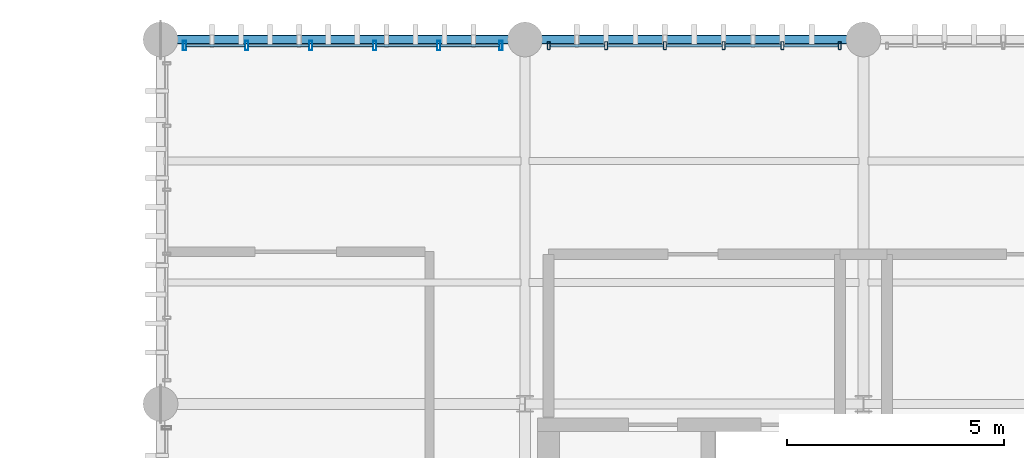
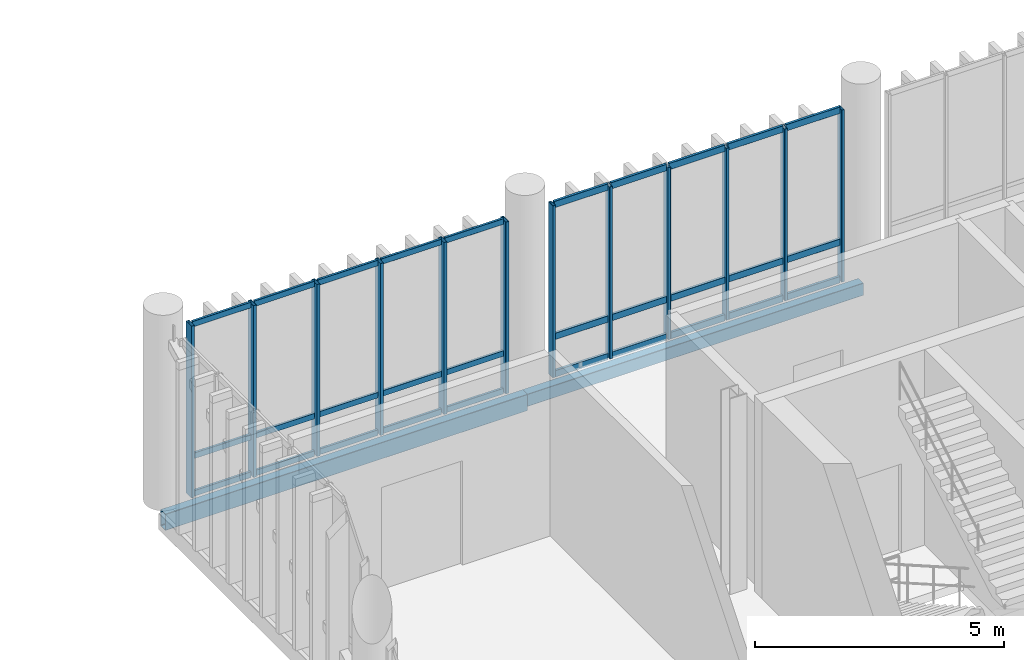
# One storey, part 77 of 109: 42 members, 2 beams, 2 elements without a shape of their own.
"""IFC4 building model written with IfcOpenShell, lengths in metres."""

import ifcopenshell
import ifcopenshell.guid

model = None  # the IFC model being written
_history = None  # IfcOwnerHistory: only IFC2X3 demands one
_inside = {}  # id of a spatial element -> (the spatial element, [elements in it])
_under = {}  # id of a project, library or spatial element -> (it, [spatial elements below it])
_declared = {}  # id of a project -> (the project, [libraries it declares])
_typed = {}  # id of a type object -> (the type object, [elements of that type])
_made_of = {}  # id of a material, layer set ... -> (it, [elements and type objects made of it])


def new_model(schema):
    """Start an empty IFC model of exactly this schema.

    Asked for "IFC4X3", IfcOpenShell would pick the latest addendum, in which some entities
    have other attributes; the version numbers below select the first issue.
    IFC2X3 requires an IfcOwnerHistory on every rooted entity: one is made here for all.
    """
    global model, _history
    if schema == "IFC4X3":
        model = ifcopenshell.file(schema_version=(4, 3, 0, 0))
    else:
        model = ifcopenshell.file(schema=schema)
    _inside.clear()
    _under.clear()
    _declared.clear()
    _typed.clear()
    _made_of.clear()
    _history = None
    if model.schema == "IFC2X3":
        org = make("IfcOrganization", Name="unknown")
        user = make(
            "IfcPersonAndOrganization",
            ThePerson=make("IfcPerson", FamilyName="unknown"),
            TheOrganization=org,
        )
        app = make(
            "IfcApplication",
            ApplicationDeveloper=org,
            Version="unknown",
            ApplicationFullName="unknown",
            ApplicationIdentifier="unknown",
        )
        _history = make(
            "IfcOwnerHistory",
            OwningUser=user,
            OwningApplication=app,
            ChangeAction="ADDED",
            CreationDate=0,
        )
    return model


def make(cls, **values):
    """One entity of the class cls with the attributes given. An attribute that is None is left unset."""
    return model.create_entity(
        cls, **{name: value for name, value in values.items() if value is not None}
    )


def rooted(cls, **values):
    """An entity with a GlobalId (a new one), such as an element, a storey or a relation."""
    return make(cls, GlobalId=ifcopenshell.guid.new(), OwnerHistory=_history, **values)


def si_unit(unit_type, name, prefix=None):
    """IfcSIUnit, for example si_unit("LENGTHUNIT", "METRE", prefix="MILLI")."""
    return make("IfcSIUnit", UnitType=unit_type, Prefix=prefix, Name=name)


def assignment(units):
    """IfcUnitAssignment: the units of a project."""
    return None if units is None else make("IfcUnitAssignment", Units=units)


def point(xyz):
    """IfcCartesianPoint."""
    return None if xyz is None else make("IfcCartesianPoint", Coordinates=xyz)


def direction(xyz):
    """IfcDirection."""
    return None if xyz is None else make("IfcDirection", DirectionRatios=xyz)


def frame(location, z_axis=None, x_axis=None):
    """IfcAxis2Placement3D, a coordinate frame: its origin and axes. An axis left out is left unset."""
    return make(
        "IfcAxis2Placement3D",
        Location=point(location),
        Axis=direction(z_axis),
        RefDirection=direction(x_axis),
    )


def frame_2d(location, x_axis=None):
    """IfcAxis2Placement2D, a coordinate frame in the plane: its origin and x axis."""
    return make(
        "IfcAxis2Placement2D", Location=point(location), RefDirection=direction(x_axis)
    )


def origin_with_axes():
    """The frame at (0, 0, 0) with the z axis (0, 0, 1) and the x axis (1, 0, 0) written out."""
    return frame((0.0, 0.0, 0.0), z_axis=(0.0, 0.0, 1.0), x_axis=(1.0, 0.0, 0.0))


def origin_2d_with_axis():
    """The frame at (0, 0) in the plane with the x axis (1, 0) written out."""
    return frame_2d((0.0, 0.0), x_axis=(1.0, 0.0))


def place(relative_to, where):
    """IfcLocalPlacement: puts the frame where relative to a parent placement (None: the world)."""
    return make(
        "IfcLocalPlacement", PlacementRelTo=relative_to, RelativePlacement=where
    )


def context(
    kind, dimensions, precision=None, world=None, true_north=None, identifier=None
):
    """IfcGeometricRepresentationContext, for example the 3D "Model" context."""
    return make(
        "IfcGeometricRepresentationContext",
        ContextIdentifier=identifier,
        ContextType=kind,
        CoordinateSpaceDimension=dimensions,
        Precision=precision,
        WorldCoordinateSystem=world,
        TrueNorth=true_north,
    )


def subcontext(parent, identifier, kind, view, scale=None):
    """IfcGeometricRepresentationSubContext, for example "Body" below "Model"."""
    return make(
        "IfcGeometricRepresentationSubContext",
        ContextIdentifier=identifier,
        ContextType=kind,
        ParentContext=parent,
        TargetScale=scale,
        TargetView=view,
    )


def project(units=None, contexts=None):
    """IfcProject with its units and contexts."""
    return rooted(
        "IfcProject",
        Name="project",
        RepresentationContexts=contexts,
        UnitsInContext=assignment(units),
    )


def spatial(cls, under=None, at=None, **own):
    """A site, building, storey or space (cls), placed at a placement, below another one or the project."""
    s = rooted(cls, ObjectPlacement=at, **own)
    if under is not None:
        _under.setdefault(under.id(), (under, []))[1].append(s)
    return s


def profile(cls, at=None, kind="AREA", **sizes):
    """A parametric profile (cls). Its sizes go by their IFC names, for example OverallWidth=200.0."""
    return make(cls, ProfileType=kind, Position=at, **sizes)


def hollow_rectangle(**sizes):
    """IfcRectangleHollowProfileDef."""
    return profile("IfcRectangleHollowProfileDef", **sizes)


def extrude(swept, where, along, depth):
    """IfcExtrudedAreaSolid: the profile swept, set in the frame where, extruded along a direction by depth."""
    return make(
        "IfcExtrudedAreaSolid",
        SweptArea=swept,
        Position=where,
        ExtrudedDirection=direction(along),
        Depth=depth,
    )


def shape(context_of_items, identifier, shape_type, items):
    """IfcShapeRepresentation: the items that make up one representation, for example the "Body"."""
    return make(
        "IfcShapeRepresentation",
        ContextOfItems=context_of_items,
        RepresentationIdentifier=identifier,
        RepresentationType=shape_type,
        Items=items,
    )


def material(Name=None, Category=None):
    """IfcMaterial."""
    return make("IfcMaterial", Name=Name, Category=Category)


def material_profile(
    of_material, cross_section, Name=None, Category=None, Priority=None
):
    """IfcMaterialProfile: a cross section and its material."""
    return make(
        "IfcMaterialProfile",
        Name=Name,
        Material=of_material,
        Profile=cross_section,
        Priority=Priority,
        Category=Category,
    )


def profile_set(profiles, Name=None, composite=None):
    """IfcMaterialProfileSet."""
    return make(
        "IfcMaterialProfileSet",
        Name=Name,
        MaterialProfiles=profiles,
        CompositeProfile=composite,
    )


def made_of(thing, what):
    """Note that an element or type object is made of a material, layer set ...; save() writes the relation."""
    if what is not None:
        _made_of.setdefault(what.id(), (what, []))[1].append(thing)
    return thing


def type_object(cls, material=None, **own):
    """A type object (cls), such as IfcWallType, which elements share."""
    return made_of(rooted(cls, **own), material)


def element(
    cls,
    number,
    at=None,
    inside=None,
    cuts=None,
    type_object=None,
    material=None,
    context=None,
    identifier="Body",
    shape_type=None,
    held_by="IfcProductDefinitionShape",
    body=None,
    shapes=None,
    **own,
):
    """One element of the class cls, such as IfcWall. Its Tag is "e" and its number.

    at: its placement. inside: the storey or other place that contains it. cuts: it is an
    opening in that element (IfcRelVoidsElement). A single representation is given by context,
    identifier, shape_type and body (its items); several are given by shapes. held_by: the class
    of the entity that holds the representations. save() writes the other relations.
    """
    e = rooted(cls, Tag="e%d" % number, ObjectPlacement=at, **own)
    if body is not None:
        shapes = [shape(context, identifier, shape_type, body)]
    if shapes is not None:
        e.Representation = make(held_by, Representations=shapes)
    if inside is not None:
        _inside.setdefault(inside.id(), (inside, []))[1].append(e)
    if cuts is not None:
        rooted(
            "IfcRelVoidsElement", RelatingBuildingElement=cuts, RelatedOpeningElement=e
        )
    if type_object is not None:
        _typed.setdefault(type_object.id(), (type_object, []))[1].append(e)
    return made_of(e, material)


def aggregate(whole, parts):
    """IfcRelAggregates: a whole, such as a stair, and the parts it consists of."""
    return rooted("IfcRelAggregates", RelatingObject=whole, RelatedObjects=parts)


def save(model, path):
    """Write the relations noted so far, then the file.

    IfcRelAggregates (storeys below a building ...), IfcRelContainedInSpatialStructure (elements
    in a storey), IfcRelDefinesByType, IfcRelAssociatesMaterial and IfcRelDeclares: one each for
    every whole, place, type object, material and project.
    """
    for whole, parts in _under.values():
        aggregate(whole, parts)
    for where, things in _inside.values():
        rooted(
            "IfcRelContainedInSpatialStructure",
            RelatedElements=things,
            RelatingStructure=where,
        )
    for kind, things in _typed.values():
        rooted("IfcRelDefinesByType", RelatedObjects=things, RelatingType=kind)
    for what, things in _made_of.values():
        rooted("IfcRelAssociatesMaterial", RelatedObjects=things, RelatingMaterial=what)
    for by, libraries in _declared.values():
        rooted("IfcRelDeclares", RelatingContext=by, RelatedDefinitions=libraries)
    model.write(path)


model = new_model("IFC4")

# Units and contexts
model_context = context("Model", 3, precision=1e-05, world=origin_with_axes(), true_north=direction((0.0, 1.0)))
body_context = subcontext(model_context, "Body", "Model", "MODEL_VIEW")
ifc_project = project(units=[si_unit("LENGTHUNIT", "METRE"), si_unit("AREAUNIT", "SQUARE_METRE"), si_unit("VOLUMEUNIT", "CUBIC_METRE"), si_unit("PLANEANGLEUNIT", "RADIAN"), si_unit("MASSUNIT", "GRAM", prefix="KILO"), si_unit("THERMODYNAMICTEMPERATUREUNIT", "KELVIN")], contexts=[model_context])

# Site, building, storey
site_placement = place(None, origin_with_axes())
site = spatial("IfcSite", under=ifc_project, at=site_placement, CompositionType="ELEMENT")
building_placement = place(site_placement, origin_with_axes())
building = spatial("IfcBuilding", under=site, at=building_placement, Name="Montbau Bow Law Courts", CompositionType="ELEMENT")
storey_placement = place(building_placement, frame((0.0, 0.0, 10.8), z_axis=(0.0, 0.0, 1.0), x_axis=(1.0, 0.0, 0.0)))
storey = spatial("IfcBuildingStorey", under=building, at=storey_placement, Name="L02", CompositionType="ELEMENT", Elevation=10.8)

# Beams
ifc_material_1 = material(Name="Steel CSA G40.21 Grade 350WT (350 MPa)", Category="steel")
ifc_material_profile_1 = material_profile(ifc_material_1, hollow_rectangle(XDim=0.203, YDim=0.406, WallThickness=0.0127, InnerFilletRadius=0.0254, OuterFilletRadius=0.0127, at=origin_2d_with_axis()), Name="HSS406X203X13", Category="Main", Priority=0)
ifc_profile_set_1 = profile_set([ifc_material_profile_1], Name="Steel CSA G40.21 Grade 350WT (350 MPa)")
beam_type_1 = type_object("IfcBeamType", Name="B-SPN-01", PredefinedType="SPANDREL", material=ifc_profile_set_1)
beam_1_placement = place(None, frame((138.6, 103.2, 10.297), z_axis=(1.0, 0.0, 0.0), x_axis=(0.0, 1.0, 0.0)))
element("IfcBeam", 1, at=beam_1_placement, inside=storey, type_object=beam_type_1, Name="SPN-L02-S1181:bm2_1184", PredefinedType="SPANDREL", context=body_context, shape_type="SweptSolid", body=[
    extrude(hollow_rectangle(XDim=0.203, YDim=0.406, WallThickness=0.0127, InnerFilletRadius=0.0254, OuterFilletRadius=0.0127, at=origin_2d_with_axis()), origin_with_axes(), (0.0, 0.0, 1.0), 8.4),
])
ifc_material_profile_2 = material_profile(ifc_material_1, hollow_rectangle(XDim=0.203, YDim=0.305, WallThickness=0.0127, InnerFilletRadius=0.0254, OuterFilletRadius=0.0127, at=origin_2d_with_axis()), Name="HSS305X203X13", Category="Main", Priority=0)
ifc_profile_set_2 = profile_set([ifc_material_profile_2], Name="Steel CSA G40.21 Grade 350WT (350 MPa)")
beam_type_2 = type_object("IfcBeamType", Name="B-SPN-02", PredefinedType="SPANDREL", material=ifc_profile_set_2)
beam_2_placement = place(None, frame((147.0, 103.2, 10.348), z_axis=(1.0, 0.0, 0.0), x_axis=(0.0, 1.0, 0.0)))
element("IfcBeam", 2, at=beam_2_placement, inside=storey, type_object=beam_type_2, Name="SPN-L02-S1182:bm2_1185", PredefinedType="SPANDREL", context=body_context, shape_type="SweptSolid", body=[
    extrude(hollow_rectangle(XDim=0.203, YDim=0.305, WallThickness=0.0127, InnerFilletRadius=0.0254, OuterFilletRadius=0.0127, at=origin_2d_with_axis()), origin_with_axes(), (0.0, 0.0, 1.0), 7.8),
])

# Curtain wall, members
ifc_material_2 = material(Name="Thermally Broken Extruded Aluminium AA 6063-T6", Category="aluminium")
curtain_wall_type = type_object("IfcCurtainWallType", Name="CW-SLT-01", PredefinedType="NOTDEFINED", material=ifc_material_2)
curtain_wall_1_placement = place(None, frame((139.115, 103.06, 10.8), z_axis=(0.0, 0.0, 1.0), x_axis=(1.0, 0.0, 0.0)))
curtain_wall_1 = element("IfcCurtainWall", 3, at=curtain_wall_1_placement, inside=storey, type_object=curtain_wall_type, Name="CW-L02-297:cw_0297", PredefinedType="NOTDEFINED")
ifc_material_profile_3 = material_profile(ifc_material_2, hollow_rectangle(XDim=0.075, YDim=0.22, WallThickness=0.005, InnerFilletRadius=0.01, OuterFilletRadius=0.005, at=origin_2d_with_axis()), Name="CWM-220X75", Category="Main", Priority=0)
ifc_profile_set_3 = profile_set([ifc_material_profile_3], Name="Thermally Broken Extruded Aluminium AA 6063-T6")
member_type_1 = type_object("IfcMemberType", Name="M-MUL-01", PredefinedType="MULLION", material=ifc_profile_set_3)
member_1_placement = place(None, frame((139.152, 103.06, 10.8), z_axis=(0.0, 0.0, 1.0), x_axis=(1.0, 0.0, 0.0)))
member_1 = element("IfcMember", 4, at=member_1_placement, type_object=member_type_1, Name="CW-L02-297-M01:cw_0297_M01", PredefinedType="MULLION", context=body_context, shape_type="SweptSolid", body=[
    extrude(hollow_rectangle(XDim=0.075, YDim=0.22, WallThickness=0.005, InnerFilletRadius=0.01, OuterFilletRadius=0.005, at=origin_2d_with_axis()), origin_with_axes(), (0.0, 0.0, 1.0), 4.22),
])
member_2_placement = place(None, frame((140.589, 103.06, 10.8), z_axis=(0.0, 0.0, 1.0), x_axis=(1.0, 0.0, 0.0)))
member_2 = element("IfcMember", 5, at=member_2_placement, type_object=member_type_1, Name="CW-L02-297-M02:cw_0297_M02", PredefinedType="MULLION", context=body_context, shape_type="SweptSolid", body=[
    extrude(hollow_rectangle(XDim=0.075, YDim=0.22, WallThickness=0.005, InnerFilletRadius=0.01, OuterFilletRadius=0.005, at=origin_2d_with_axis()), origin_with_axes(), (0.0, 0.0, 1.0), 4.22),
])
member_3_placement = place(None, frame((142.063, 103.06, 10.8), z_axis=(0.0, 0.0, 1.0), x_axis=(1.0, 0.0, 0.0)))
member_3 = element("IfcMember", 6, at=member_3_placement, type_object=member_type_1, Name="CW-L02-297-M03:cw_0297_M03", PredefinedType="MULLION", context=body_context, shape_type="SweptSolid", body=[
    extrude(hollow_rectangle(XDim=0.075, YDim=0.22, WallThickness=0.005, InnerFilletRadius=0.01, OuterFilletRadius=0.005, at=origin_2d_with_axis()), origin_with_axes(), (0.0, 0.0, 1.0), 4.22),
])
member_4_placement = place(None, frame((143.537, 103.06, 10.8), z_axis=(0.0, 0.0, 1.0), x_axis=(1.0, 0.0, 0.0)))
member_4 = element("IfcMember", 7, at=member_4_placement, type_object=member_type_1, Name="CW-L02-297-M04:cw_0297_M04", PredefinedType="MULLION", context=body_context, shape_type="SweptSolid", body=[
    extrude(hollow_rectangle(XDim=0.075, YDim=0.22, WallThickness=0.005, InnerFilletRadius=0.01, OuterFilletRadius=0.005, at=origin_2d_with_axis()), origin_with_axes(), (0.0, 0.0, 1.0), 4.22),
])
member_5_placement = place(None, frame((145.011, 103.06, 10.8), z_axis=(0.0, 0.0, 1.0), x_axis=(1.0, 0.0, 0.0)))
member_5 = element("IfcMember", 8, at=member_5_placement, type_object=member_type_1, Name="CW-L02-297-M05:cw_0297_M05", PredefinedType="MULLION", context=body_context, shape_type="SweptSolid", body=[
    extrude(hollow_rectangle(XDim=0.075, YDim=0.22, WallThickness=0.005, InnerFilletRadius=0.01, OuterFilletRadius=0.005, at=origin_2d_with_axis()), origin_with_axes(), (0.0, 0.0, 1.0), 4.22),
])
member_6_placement = place(None, frame((146.448, 103.06, 10.8), z_axis=(0.0, 0.0, 1.0), x_axis=(1.0, 0.0, 0.0)))
member_6 = element("IfcMember", 9, at=member_6_placement, type_object=member_type_1, Name="CW-L02-297-M06:cw_0297_M06", PredefinedType="MULLION", context=body_context, shape_type="SweptSolid", body=[
    extrude(hollow_rectangle(XDim=0.075, YDim=0.22, WallThickness=0.005, InnerFilletRadius=0.01, OuterFilletRadius=0.005, at=origin_2d_with_axis()), origin_with_axes(), (0.0, 0.0, 1.0), 4.22),
])

curtain_wall_2_placement = place(None, frame((147.515, 103.06, 10.8), z_axis=(0.0, 0.0, 1.0), x_axis=(1.0, 0.0, 0.0)))
curtain_wall_2 = element("IfcCurtainWall", 10, at=curtain_wall_2_placement, inside=storey, type_object=curtain_wall_type, Name="CW-L02-298:cw_0298", PredefinedType="NOTDEFINED")
ifc_material_profile_4 = material_profile(ifc_material_2, hollow_rectangle(XDim=0.065, YDim=0.18, WallThickness=0.005, InnerFilletRadius=0.01, OuterFilletRadius=0.005, at=origin_2d_with_axis()), Name="CWM-180X65", Category="Main", Priority=0)
ifc_profile_set_4 = profile_set([ifc_material_profile_4], Name="Thermally Broken Extruded Aluminium AA 6063-T6")
member_type_2 = type_object("IfcMemberType", Name="M-MUL-02", PredefinedType="MULLION", material=ifc_profile_set_4)
member_7_placement = place(None, frame((147.548, 103.06, 10.8), z_axis=(0.0, 0.0, 1.0), x_axis=(1.0, 0.0, 0.0)))
member_7 = element("IfcMember", 11, at=member_7_placement, type_object=member_type_2, Name="CW-L02-298-M01:cw_0298_M01", PredefinedType="MULLION", context=body_context, shape_type="SweptSolid", body=[
    extrude(hollow_rectangle(XDim=0.065, YDim=0.18, WallThickness=0.005, InnerFilletRadius=0.01, OuterFilletRadius=0.005, at=origin_2d_with_axis()), origin_with_axes(), (0.0, 0.0, 1.0), 4.22),
])
member_8_placement = place(None, frame((148.869, 103.06, 10.8), z_axis=(0.0, 0.0, 1.0), x_axis=(1.0, 0.0, 0.0)))
member_8 = element("IfcMember", 12, at=member_8_placement, type_object=member_type_2, Name="CW-L02-298-M02:cw_0298_M02", PredefinedType="MULLION", context=body_context, shape_type="SweptSolid", body=[
    extrude(hollow_rectangle(XDim=0.065, YDim=0.18, WallThickness=0.005, InnerFilletRadius=0.01, OuterFilletRadius=0.005, at=origin_2d_with_axis()), origin_with_axes(), (0.0, 0.0, 1.0), 4.22),
])
member_9_placement = place(None, frame((150.223, 103.06, 10.8), z_axis=(0.0, 0.0, 1.0), x_axis=(1.0, 0.0, 0.0)))
member_9 = element("IfcMember", 13, at=member_9_placement, type_object=member_type_2, Name="CW-L02-298-M03:cw_0298_M03", PredefinedType="MULLION", context=body_context, shape_type="SweptSolid", body=[
    extrude(hollow_rectangle(XDim=0.065, YDim=0.18, WallThickness=0.005, InnerFilletRadius=0.01, OuterFilletRadius=0.005, at=origin_2d_with_axis()), origin_with_axes(), (0.0, 0.0, 1.0), 4.22),
])
member_10_placement = place(None, frame((151.577, 103.06, 10.8), z_axis=(0.0, 0.0, 1.0), x_axis=(1.0, 0.0, 0.0)))
member_10 = element("IfcMember", 14, at=member_10_placement, type_object=member_type_2, Name="CW-L02-298-M04:cw_0298_M04", PredefinedType="MULLION", context=body_context, shape_type="SweptSolid", body=[
    extrude(hollow_rectangle(XDim=0.065, YDim=0.18, WallThickness=0.005, InnerFilletRadius=0.01, OuterFilletRadius=0.005, at=origin_2d_with_axis()), origin_with_axes(), (0.0, 0.0, 1.0), 4.22),
])
member_11_placement = place(None, frame((152.931, 103.06, 10.8), z_axis=(0.0, 0.0, 1.0), x_axis=(1.0, 0.0, 0.0)))
member_11 = element("IfcMember", 15, at=member_11_placement, type_object=member_type_2, Name="CW-L02-298-M05:cw_0298_M05", PredefinedType="MULLION", context=body_context, shape_type="SweptSolid", body=[
    extrude(hollow_rectangle(XDim=0.065, YDim=0.18, WallThickness=0.005, InnerFilletRadius=0.01, OuterFilletRadius=0.005, at=origin_2d_with_axis()), origin_with_axes(), (0.0, 0.0, 1.0), 4.22),
])
member_12_placement = place(None, frame((154.253, 103.06, 10.8), z_axis=(0.0, 0.0, 1.0), x_axis=(1.0, 0.0, 0.0)))
member_12 = element("IfcMember", 16, at=member_12_placement, type_object=member_type_2, Name="CW-L02-298-M06:cw_0298_M06", PredefinedType="MULLION", context=body_context, shape_type="SweptSolid", body=[
    extrude(hollow_rectangle(XDim=0.065, YDim=0.18, WallThickness=0.005, InnerFilletRadius=0.01, OuterFilletRadius=0.005, at=origin_2d_with_axis()), origin_with_axes(), (0.0, 0.0, 1.0), 4.22),
])
ifc_material_profile_5 = material_profile(ifc_material_2, hollow_rectangle(XDim=0.06, YDim=0.16, WallThickness=0.004, InnerFilletRadius=0.008, OuterFilletRadius=0.004, at=origin_2d_with_axis()), Name="CWT-160X60", Category="Main", Priority=0)
ifc_profile_set_5 = profile_set([ifc_material_profile_5], Name="Thermally Broken Extruded Aluminium AA 6063-T6")
member_type_3 = type_object("IfcMemberType", Name="M-TRN-01", PredefinedType="USERDEFINED", material=ifc_profile_set_5)
member_13_placement = place(None, frame((147.583, 103.06, 10.83), z_axis=(1.0, 0.0, 0.0), x_axis=(0.0, 1.0, 0.0)))
member_13 = element("IfcMember", 17, at=member_13_placement, type_object=member_type_3, Name="CW-L02-298-T01-1:cw_0298_T01_1", ObjectType="TRANSOM", PredefinedType="USERDEFINED", context=body_context, shape_type="SweptSolid", body=[
    extrude(hollow_rectangle(XDim=0.06, YDim=0.16, WallThickness=0.004, InnerFilletRadius=0.008, OuterFilletRadius=0.004, at=origin_2d_with_axis()), origin_with_axes(), (0.0, 0.0, 1.0), 1.252),
])
member_14_placement = place(None, frame((147.583, 103.06, 11.75), z_axis=(1.0, 0.0, 0.0), x_axis=(0.0, 1.0, 0.0)))
member_14 = element("IfcMember", 18, at=member_14_placement, type_object=member_type_3, Name="CW-L02-298-T01-2:cw_0298_T01_2", ObjectType="TRANSOM", PredefinedType="USERDEFINED", context=body_context, shape_type="SweptSolid", body=[
    extrude(hollow_rectangle(XDim=0.06, YDim=0.16, WallThickness=0.004, InnerFilletRadius=0.008, OuterFilletRadius=0.004, at=origin_2d_with_axis()), origin_with_axes(), (0.0, 0.0, 1.0), 1.252),
])
member_15_placement = place(None, frame((147.583, 103.06, 14.99), z_axis=(1.0, 0.0, 0.0), x_axis=(0.0, 1.0, 0.0)))
member_15 = element("IfcMember", 19, at=member_15_placement, type_object=member_type_3, Name="CW-L02-298-T01-3:cw_0298_T01_3", ObjectType="TRANSOM", PredefinedType="USERDEFINED", context=body_context, shape_type="SweptSolid", body=[
    extrude(hollow_rectangle(XDim=0.06, YDim=0.16, WallThickness=0.004, InnerFilletRadius=0.008, OuterFilletRadius=0.004, at=origin_2d_with_axis()), origin_with_axes(), (0.0, 0.0, 1.0), 1.252),
])
member_16_placement = place(None, frame((148.904, 103.06, 10.83), z_axis=(1.0, 0.0, 0.0), x_axis=(0.0, 1.0, 0.0)))
member_16 = element("IfcMember", 20, at=member_16_placement, type_object=member_type_3, Name="CW-L02-298-T02-1:cw_0298_T02_1", ObjectType="TRANSOM", PredefinedType="USERDEFINED", context=body_context, shape_type="SweptSolid", body=[
    extrude(hollow_rectangle(XDim=0.06, YDim=0.16, WallThickness=0.004, InnerFilletRadius=0.008, OuterFilletRadius=0.004, at=origin_2d_with_axis()), origin_with_axes(), (0.0, 0.0, 1.0), 1.285),
])
member_17_placement = place(None, frame((148.904, 103.06, 11.75), z_axis=(1.0, 0.0, 0.0), x_axis=(0.0, 1.0, 0.0)))
member_17 = element("IfcMember", 21, at=member_17_placement, type_object=member_type_3, Name="CW-L02-298-T02-2:cw_0298_T02_2", ObjectType="TRANSOM", PredefinedType="USERDEFINED", context=body_context, shape_type="SweptSolid", body=[
    extrude(hollow_rectangle(XDim=0.06, YDim=0.16, WallThickness=0.004, InnerFilletRadius=0.008, OuterFilletRadius=0.004, at=origin_2d_with_axis()), origin_with_axes(), (0.0, 0.0, 1.0), 1.285),
])
member_18_placement = place(None, frame((148.904, 103.06, 14.99), z_axis=(1.0, 0.0, 0.0), x_axis=(0.0, 1.0, 0.0)))
member_18 = element("IfcMember", 22, at=member_18_placement, type_object=member_type_3, Name="CW-L02-298-T02-3:cw_0298_T02_3", ObjectType="TRANSOM", PredefinedType="USERDEFINED", context=body_context, shape_type="SweptSolid", body=[
    extrude(hollow_rectangle(XDim=0.06, YDim=0.16, WallThickness=0.004, InnerFilletRadius=0.008, OuterFilletRadius=0.004, at=origin_2d_with_axis()), origin_with_axes(), (0.0, 0.0, 1.0), 1.285),
])
member_19_placement = place(None, frame((150.258, 103.06, 10.83), z_axis=(1.0, 0.0, 0.0), x_axis=(0.0, 1.0, 0.0)))
member_19 = element("IfcMember", 23, at=member_19_placement, type_object=member_type_3, Name="CW-L02-298-T03-1:cw_0298_T03_1", ObjectType="TRANSOM", PredefinedType="USERDEFINED", context=body_context, shape_type="SweptSolid", body=[
    extrude(hollow_rectangle(XDim=0.06, YDim=0.16, WallThickness=0.004, InnerFilletRadius=0.008, OuterFilletRadius=0.004, at=origin_2d_with_axis()), origin_with_axes(), (0.0, 0.0, 1.0), 1.285),
])
member_20_placement = place(None, frame((150.258, 103.06, 11.75), z_axis=(1.0, 0.0, 0.0), x_axis=(0.0, 1.0, 0.0)))
member_20 = element("IfcMember", 24, at=member_20_placement, type_object=member_type_3, Name="CW-L02-298-T03-2:cw_0298_T03_2", ObjectType="TRANSOM", PredefinedType="USERDEFINED", context=body_context, shape_type="SweptSolid", body=[
    extrude(hollow_rectangle(XDim=0.06, YDim=0.16, WallThickness=0.004, InnerFilletRadius=0.008, OuterFilletRadius=0.004, at=origin_2d_with_axis()), origin_with_axes(), (0.0, 0.0, 1.0), 1.285),
])
member_21_placement = place(None, frame((150.258, 103.06, 14.99), z_axis=(1.0, 0.0, 0.0), x_axis=(0.0, 1.0, 0.0)))
member_21 = element("IfcMember", 25, at=member_21_placement, type_object=member_type_3, Name="CW-L02-298-T03-3:cw_0298_T03_3", ObjectType="TRANSOM", PredefinedType="USERDEFINED", context=body_context, shape_type="SweptSolid", body=[
    extrude(hollow_rectangle(XDim=0.06, YDim=0.16, WallThickness=0.004, InnerFilletRadius=0.008, OuterFilletRadius=0.004, at=origin_2d_with_axis()), origin_with_axes(), (0.0, 0.0, 1.0), 1.285),
])
member_22_placement = place(None, frame((151.611, 103.06, 10.83), z_axis=(1.0, 0.0, 0.0), x_axis=(0.0, 1.0, 0.0)))
member_22 = element("IfcMember", 26, at=member_22_placement, type_object=member_type_3, Name="CW-L02-298-T04-1:cw_0298_T04_1", ObjectType="TRANSOM", PredefinedType="USERDEFINED", context=body_context, shape_type="SweptSolid", body=[
    extrude(hollow_rectangle(XDim=0.06, YDim=0.16, WallThickness=0.004, InnerFilletRadius=0.008, OuterFilletRadius=0.004, at=origin_2d_with_axis()), origin_with_axes(), (0.0, 0.0, 1.0), 1.286),
])
member_23_placement = place(None, frame((151.611, 103.06, 11.75), z_axis=(1.0, 0.0, 0.0), x_axis=(0.0, 1.0, 0.0)))
member_23 = element("IfcMember", 27, at=member_23_placement, type_object=member_type_3, Name="CW-L02-298-T04-2:cw_0298_T04_2", ObjectType="TRANSOM", PredefinedType="USERDEFINED", context=body_context, shape_type="SweptSolid", body=[
    extrude(hollow_rectangle(XDim=0.06, YDim=0.16, WallThickness=0.004, InnerFilletRadius=0.008, OuterFilletRadius=0.004, at=origin_2d_with_axis()), origin_with_axes(), (0.0, 0.0, 1.0), 1.286),
])
member_24_placement = place(None, frame((151.611, 103.06, 14.99), z_axis=(1.0, 0.0, 0.0), x_axis=(0.0, 1.0, 0.0)))
member_24 = element("IfcMember", 28, at=member_24_placement, type_object=member_type_3, Name="CW-L02-298-T04-3:cw_0298_T04_3", ObjectType="TRANSOM", PredefinedType="USERDEFINED", context=body_context, shape_type="SweptSolid", body=[
    extrude(hollow_rectangle(XDim=0.06, YDim=0.16, WallThickness=0.004, InnerFilletRadius=0.008, OuterFilletRadius=0.004, at=origin_2d_with_axis()), origin_with_axes(), (0.0, 0.0, 1.0), 1.286),
])
member_25_placement = place(None, frame((152.965, 103.06, 10.83), z_axis=(1.0, 0.0, 0.0), x_axis=(0.0, 1.0, 0.0)))
member_25 = element("IfcMember", 29, at=member_25_placement, type_object=member_type_3, Name="CW-L02-298-T05-1:cw_0298_T05_1", ObjectType="TRANSOM", PredefinedType="USERDEFINED", context=body_context, shape_type="SweptSolid", body=[
    extrude(hollow_rectangle(XDim=0.06, YDim=0.16, WallThickness=0.004, InnerFilletRadius=0.008, OuterFilletRadius=0.004, at=origin_2d_with_axis()), origin_with_axes(), (0.0, 0.0, 1.0), 1.254),
])
member_26_placement = place(None, frame((152.965, 103.06, 11.75), z_axis=(1.0, 0.0, 0.0), x_axis=(0.0, 1.0, 0.0)))
member_26 = element("IfcMember", 30, at=member_26_placement, type_object=member_type_3, Name="CW-L02-298-T05-2:cw_0298_T05_2", ObjectType="TRANSOM", PredefinedType="USERDEFINED", context=body_context, shape_type="SweptSolid", body=[
    extrude(hollow_rectangle(XDim=0.06, YDim=0.16, WallThickness=0.004, InnerFilletRadius=0.008, OuterFilletRadius=0.004, at=origin_2d_with_axis()), origin_with_axes(), (0.0, 0.0, 1.0), 1.254),
])
member_27_placement = place(None, frame((152.965, 103.06, 14.99), z_axis=(1.0, 0.0, 0.0), x_axis=(0.0, 1.0, 0.0)))
member_27 = element("IfcMember", 31, at=member_27_placement, type_object=member_type_3, Name="CW-L02-298-T05-3:cw_0298_T05_3", ObjectType="TRANSOM", PredefinedType="USERDEFINED", context=body_context, shape_type="SweptSolid", body=[
    extrude(hollow_rectangle(XDim=0.06, YDim=0.16, WallThickness=0.004, InnerFilletRadius=0.008, OuterFilletRadius=0.004, at=origin_2d_with_axis()), origin_with_axes(), (0.0, 0.0, 1.0), 1.254),
])
aggregate(curtain_wall_2, [member_7, member_8, member_9, member_10, member_11, member_12, member_13, member_14, member_15, member_16, member_17, member_18, member_19, member_20, member_21, member_22, member_23, member_24, member_25, member_26, member_27])

# Member
ifc_material_profile_6 = material_profile(ifc_material_2, hollow_rectangle(XDim=0.055, YDim=0.14, WallThickness=0.004, InnerFilletRadius=0.008, OuterFilletRadius=0.004, at=origin_2d_with_axis()), Name="CWT-140X55", Category="Main", Priority=0)
ifc_profile_set_6 = profile_set([ifc_material_profile_6], Name="Thermally Broken Extruded Aluminium AA 6063-T6")
member_type_4 = type_object("IfcMemberType", Name="M-TRN-02", PredefinedType="USERDEFINED", material=ifc_profile_set_6)
member_28_placement = place(None, frame((139.191, 103.06, 10.828), z_axis=(1.0, 0.0, 0.0), x_axis=(0.0, 1.0, 0.0)))
member_28 = element("IfcMember", 32, at=member_28_placement, type_object=member_type_4, Name="CW-L02-297-T01-1:cw_0297_T01_1", ObjectType="TRANSOM", PredefinedType="USERDEFINED", context=body_context, shape_type="SweptSolid", body=[
    extrude(hollow_rectangle(XDim=0.055, YDim=0.14, WallThickness=0.004, InnerFilletRadius=0.008, OuterFilletRadius=0.004, at=origin_2d_with_axis()), origin_with_axes(), (0.0, 0.0, 1.0), 1.358),
])

member_29_placement = place(None, frame((139.191, 103.06, 11.75), z_axis=(1.0, 0.0, 0.0), x_axis=(0.0, 1.0, 0.0)))
member_29 = element("IfcMember", 33, at=member_29_placement, type_object=member_type_4, Name="CW-L02-297-T01-2:cw_0297_T01_2", ObjectType="TRANSOM", PredefinedType="USERDEFINED", context=body_context, shape_type="SweptSolid", body=[
    extrude(hollow_rectangle(XDim=0.055, YDim=0.14, WallThickness=0.004, InnerFilletRadius=0.008, OuterFilletRadius=0.004, at=origin_2d_with_axis()), origin_with_axes(), (0.0, 0.0, 1.0), 1.358),
])

member_30_placement = place(None, frame((139.191, 103.06, 14.992), z_axis=(1.0, 0.0, 0.0), x_axis=(0.0, 1.0, 0.0)))
member_30 = element("IfcMember", 34, at=member_30_placement, type_object=member_type_4, Name="CW-L02-297-T01-3:cw_0297_T01_3", ObjectType="TRANSOM", PredefinedType="USERDEFINED", context=body_context, shape_type="SweptSolid", body=[
    extrude(hollow_rectangle(XDim=0.055, YDim=0.14, WallThickness=0.004, InnerFilletRadius=0.008, OuterFilletRadius=0.004, at=origin_2d_with_axis()), origin_with_axes(), (0.0, 0.0, 1.0), 1.358),
])

member_31_placement = place(None, frame((140.629, 103.06, 10.828), z_axis=(1.0, 0.0, 0.0), x_axis=(0.0, 1.0, 0.0)))
member_31 = element("IfcMember", 35, at=member_31_placement, type_object=member_type_4, Name="CW-L02-297-T02-1:cw_0297_T02_1", ObjectType="TRANSOM", PredefinedType="USERDEFINED", context=body_context, shape_type="SweptSolid", body=[
    extrude(hollow_rectangle(XDim=0.055, YDim=0.14, WallThickness=0.004, InnerFilletRadius=0.008, OuterFilletRadius=0.004, at=origin_2d_with_axis()), origin_with_axes(), (0.0, 0.0, 1.0), 1.395),
])

member_32_placement = place(None, frame((140.629, 103.06, 11.75), z_axis=(1.0, 0.0, 0.0), x_axis=(0.0, 1.0, 0.0)))
member_32 = element("IfcMember", 36, at=member_32_placement, type_object=member_type_4, Name="CW-L02-297-T02-2:cw_0297_T02_2", ObjectType="TRANSOM", PredefinedType="USERDEFINED", context=body_context, shape_type="SweptSolid", body=[
    extrude(hollow_rectangle(XDim=0.055, YDim=0.14, WallThickness=0.004, InnerFilletRadius=0.008, OuterFilletRadius=0.004, at=origin_2d_with_axis()), origin_with_axes(), (0.0, 0.0, 1.0), 1.395),
])

member_33_placement = place(None, frame((140.629, 103.06, 14.992), z_axis=(1.0, 0.0, 0.0), x_axis=(0.0, 1.0, 0.0)))
member_33 = element("IfcMember", 37, at=member_33_placement, type_object=member_type_4, Name="CW-L02-297-T02-3:cw_0297_T02_3", ObjectType="TRANSOM", PredefinedType="USERDEFINED", context=body_context, shape_type="SweptSolid", body=[
    extrude(hollow_rectangle(XDim=0.055, YDim=0.14, WallThickness=0.004, InnerFilletRadius=0.008, OuterFilletRadius=0.004, at=origin_2d_with_axis()), origin_with_axes(), (0.0, 0.0, 1.0), 1.395),
])

member_34_placement = place(None, frame((142.102, 103.06, 10.828), z_axis=(1.0, 0.0, 0.0), x_axis=(0.0, 1.0, 0.0)))
member_34 = element("IfcMember", 38, at=member_34_placement, type_object=member_type_4, Name="CW-L02-297-T03-1:cw_0297_T03_1", ObjectType="TRANSOM", PredefinedType="USERDEFINED", context=body_context, shape_type="SweptSolid", body=[
    extrude(hollow_rectangle(XDim=0.055, YDim=0.14, WallThickness=0.004, InnerFilletRadius=0.008, OuterFilletRadius=0.004, at=origin_2d_with_axis()), origin_with_axes(), (0.0, 0.0, 1.0), 1.396),
])

member_35_placement = place(None, frame((142.102, 103.06, 11.75), z_axis=(1.0, 0.0, 0.0), x_axis=(0.0, 1.0, 0.0)))
member_35 = element("IfcMember", 39, at=member_35_placement, type_object=member_type_4, Name="CW-L02-297-T03-2:cw_0297_T03_2", ObjectType="TRANSOM", PredefinedType="USERDEFINED", context=body_context, shape_type="SweptSolid", body=[
    extrude(hollow_rectangle(XDim=0.055, YDim=0.14, WallThickness=0.004, InnerFilletRadius=0.008, OuterFilletRadius=0.004, at=origin_2d_with_axis()), origin_with_axes(), (0.0, 0.0, 1.0), 1.396),
])

member_36_placement = place(None, frame((142.102, 103.06, 14.992), z_axis=(1.0, 0.0, 0.0), x_axis=(0.0, 1.0, 0.0)))
member_36 = element("IfcMember", 40, at=member_36_placement, type_object=member_type_4, Name="CW-L02-297-T03-3:cw_0297_T03_3", ObjectType="TRANSOM", PredefinedType="USERDEFINED", context=body_context, shape_type="SweptSolid", body=[
    extrude(hollow_rectangle(XDim=0.055, YDim=0.14, WallThickness=0.004, InnerFilletRadius=0.008, OuterFilletRadius=0.004, at=origin_2d_with_axis()), origin_with_axes(), (0.0, 0.0, 1.0), 1.396),
])

member_37_placement = place(None, frame((143.576, 103.06, 10.828), z_axis=(1.0, 0.0, 0.0), x_axis=(0.0, 1.0, 0.0)))
member_37 = element("IfcMember", 41, at=member_37_placement, type_object=member_type_4, Name="CW-L02-297-T04-1:cw_0297_T04_1", ObjectType="TRANSOM", PredefinedType="USERDEFINED", context=body_context, shape_type="SweptSolid", body=[
    extrude(hollow_rectangle(XDim=0.055, YDim=0.14, WallThickness=0.004, InnerFilletRadius=0.008, OuterFilletRadius=0.004, at=origin_2d_with_axis()), origin_with_axes(), (0.0, 0.0, 1.0), 1.396),
])

member_38_placement = place(None, frame((143.576, 103.06, 11.75), z_axis=(1.0, 0.0, 0.0), x_axis=(0.0, 1.0, 0.0)))
member_38 = element("IfcMember", 42, at=member_38_placement, type_object=member_type_4, Name="CW-L02-297-T04-2:cw_0297_T04_2", ObjectType="TRANSOM", PredefinedType="USERDEFINED", context=body_context, shape_type="SweptSolid", body=[
    extrude(hollow_rectangle(XDim=0.055, YDim=0.14, WallThickness=0.004, InnerFilletRadius=0.008, OuterFilletRadius=0.004, at=origin_2d_with_axis()), origin_with_axes(), (0.0, 0.0, 1.0), 1.396),
])

member_39_placement = place(None, frame((143.576, 103.06, 14.992), z_axis=(1.0, 0.0, 0.0), x_axis=(0.0, 1.0, 0.0)))
member_39 = element("IfcMember", 43, at=member_39_placement, type_object=member_type_4, Name="CW-L02-297-T04-3:cw_0297_T04_3", ObjectType="TRANSOM", PredefinedType="USERDEFINED", context=body_context, shape_type="SweptSolid", body=[
    extrude(hollow_rectangle(XDim=0.055, YDim=0.14, WallThickness=0.004, InnerFilletRadius=0.008, OuterFilletRadius=0.004, at=origin_2d_with_axis()), origin_with_axes(), (0.0, 0.0, 1.0), 1.396),
])

member_40_placement = place(None, frame((145.05, 103.06, 10.828), z_axis=(1.0, 0.0, 0.0), x_axis=(0.0, 1.0, 0.0)))
member_40 = element("IfcMember", 44, at=member_40_placement, type_object=member_type_4, Name="CW-L02-297-T05-1:cw_0297_T05_1", ObjectType="TRANSOM", PredefinedType="USERDEFINED", context=body_context, shape_type="SweptSolid", body=[
    extrude(hollow_rectangle(XDim=0.055, YDim=0.14, WallThickness=0.004, InnerFilletRadius=0.008, OuterFilletRadius=0.004, at=origin_2d_with_axis()), origin_with_axes(), (0.0, 0.0, 1.0), 1.359),
])

member_41_placement = place(None, frame((145.05, 103.06, 11.75), z_axis=(1.0, 0.0, 0.0), x_axis=(0.0, 1.0, 0.0)))
member_41 = element("IfcMember", 45, at=member_41_placement, type_object=member_type_4, Name="CW-L02-297-T05-2:cw_0297_T05_2", ObjectType="TRANSOM", PredefinedType="USERDEFINED", context=body_context, shape_type="SweptSolid", body=[
    extrude(hollow_rectangle(XDim=0.055, YDim=0.14, WallThickness=0.004, InnerFilletRadius=0.008, OuterFilletRadius=0.004, at=origin_2d_with_axis()), origin_with_axes(), (0.0, 0.0, 1.0), 1.359),
])

member_42_placement = place(None, frame((145.05, 103.06, 14.992), z_axis=(1.0, 0.0, 0.0), x_axis=(0.0, 1.0, 0.0)))
member_42 = element("IfcMember", 46, at=member_42_placement, type_object=member_type_4, Name="CW-L02-297-T05-3:cw_0297_T05_3", ObjectType="TRANSOM", PredefinedType="USERDEFINED", context=body_context, shape_type="SweptSolid", body=[
    extrude(hollow_rectangle(XDim=0.055, YDim=0.14, WallThickness=0.004, InnerFilletRadius=0.008, OuterFilletRadius=0.004, at=origin_2d_with_axis()), origin_with_axes(), (0.0, 0.0, 1.0), 1.359),
])

aggregate(curtain_wall_1, [member_1, member_2, member_3, member_4, member_5, member_6, member_28, member_29, member_30, member_31, member_32, member_33, member_34, member_35, member_36, member_37, member_38, member_39, member_40, member_41, member_42])

save(model, "model.ifc")
